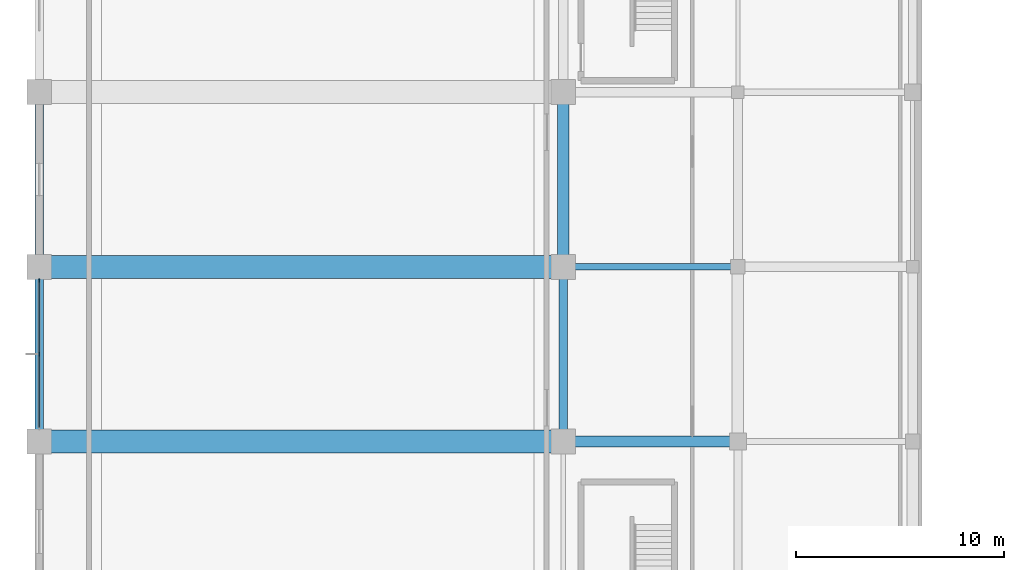
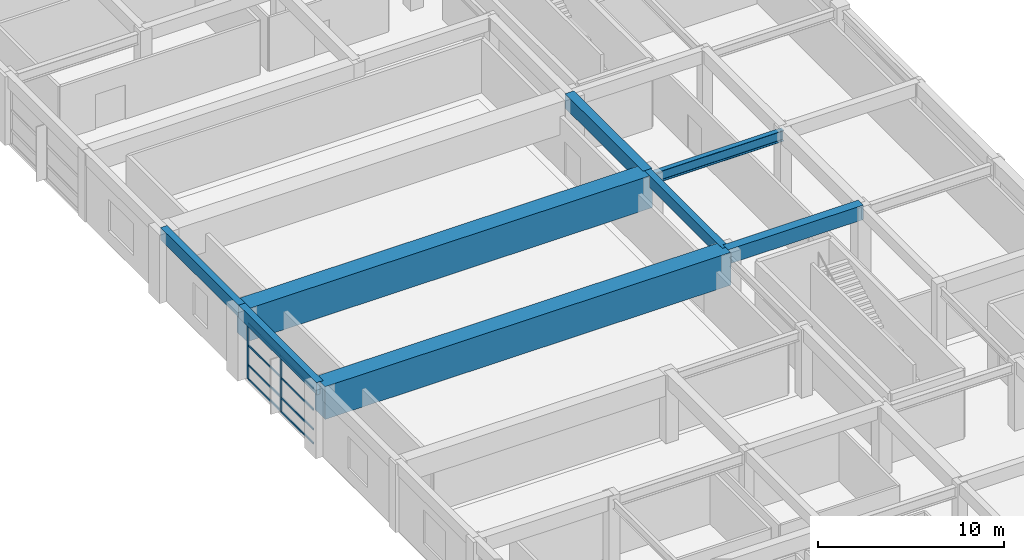
# One storey, part 14 of 65: 10 members, 8 beams, 1 element without a shape of its own.
"""IFC4 building model written with IfcOpenShell, lengths in metres."""

from ifc_helpers import new_model, si_unit, direction, frame, origin, origin_2d, place, context, subcontext, project, spatial, rectangle, i_section, extrude, material, material_profile, profile_set, type_object, element, aggregate, save


model = new_model("IFC4")

# Units and contexts
model_context = context("Model", 3, precision=1e-05, world=origin(), true_north=direction((0.0, 1.0)))
body_context = subcontext(model_context, "Body", "Model", "MODEL_VIEW")
ifc_project = project(units=[si_unit("LENGTHUNIT", "METRE"), si_unit("AREAUNIT", "SQUARE_METRE"), si_unit("VOLUMEUNIT", "CUBIC_METRE"), si_unit("PLANEANGLEUNIT", "RADIAN"), si_unit("MASSUNIT", "GRAM", prefix="KILO")], contexts=[model_context])

# Site, building, storey
site_placement = place(None, origin())
site = spatial("IfcSite", under=ifc_project, at=site_placement, CompositionType="ELEMENT")
building_placement = place(site_placement, origin())
building = spatial("IfcBuilding", under=site, at=building_placement, Name="Xuanlan Plaza Opera House", CompositionType="ELEMENT")
storey_placement = place(building_placement, frame((0.0, 0.0, 5.39990234375)))
storey = spatial("IfcBuildingStorey", under=building, at=storey_placement, Name="L01", CompositionType="ELEMENT", Elevation=5.39990234375)

# Curtain wall, members
ifc_material_1 = material(Name="Anodised Aluminium 6063-T6 and Low-E Glass", Category="aluminium")
curtain_wall_type = type_object("IfcCurtainWallType", Name="ENV-CW-CW-01", PredefinedType="USERDEFINED", material=ifc_material_1)
curtain_wall_placement = place(storey_placement, origin())
curtain_wall = element("IfcCurtainWall", 1, at=curtain_wall_placement, inside=storey, type_object=curtain_wall_type, Name="Unitised Curtain Wall L01-054", ObjectType="UNITISED CURTAIN WALL", PredefinedType="USERDEFINED")
ifc_material_2 = material(Name="Anodised Aluminium 6063-T6", Category="aluminium")
ifc_material_profile_1 = material_profile(ifc_material_2, rectangle(XDim=0.070068359375, YDim=0.179931640625, at=origin_2d()), Name="ALU-M 70x180")
ifc_profile_set_1 = profile_set([ifc_material_profile_1], Name="Anodised Aluminium 6063-T6")
member_type_1 = type_object("IfcMemberType", Name="ENV-CWM-02", PredefinedType="MULLION", material=ifc_profile_set_1)
member_1_placement = place(storey_placement, frame((0.0, 58.14501953125, 0.0), z_axis=(0.0, 0.0, 1.0), x_axis=(1.0, 0.0, 0.0)))
member_1 = element("IfcMember", 2, at=member_1_placement, type_object=member_type_1, Name="CW-01 mullion 1", PredefinedType="MULLION", context=body_context, shape_type="SweptSolid", body=[
    extrude(rectangle(XDim=0.070068359375, YDim=0.179931640625, at=origin_2d()), origin(), (0.0, 0.0, 1.0), 3.68017578125),
])
member_2_placement = place(storey_placement, frame((0.0, 54.60009765625, 0.0), z_axis=(0.0, 0.0, 1.0), x_axis=(1.0, 0.0, 0.0)))
member_2 = element("IfcMember", 3, at=member_2_placement, type_object=member_type_1, Name="CW-01 mullion 2", PredefinedType="MULLION", context=body_context, shape_type="SweptSolid", body=[
    extrude(rectangle(XDim=0.070068359375, YDim=0.179931640625, at=origin_2d()), origin(), (0.0, 0.0, 1.0), 3.68017578125),
])
ifc_material_profile_2 = material_profile(ifc_material_2, rectangle(XDim=0.06494140625, YDim=0.1201171875, at=origin_2d()), Name="ALU-T 65x120")
ifc_profile_set_2 = profile_set([ifc_material_profile_2], Name="Anodised Aluminium 6063-T6")
member_type_2 = type_object("IfcMemberType", Name="ENV-CWT-01", PredefinedType="USERDEFINED", material=ifc_profile_set_2)
member_3_placement = place(storey_placement, frame((0.0, 58.110107421875, 0.03271484375), z_axis=(0.0, -1.0, 0.0), x_axis=(1.0, 0.0, 0.0)))
member_3 = element("IfcMember", 4, at=member_3_placement, type_object=member_type_2, Name="CW-01 transom 1.1", ObjectType="TRANSOM", PredefinedType="USERDEFINED", context=body_context, shape_type="SweptSolid", body=[
    extrude(rectangle(XDim=0.06494140625, YDim=0.1201171875, at=origin_2d()), origin(), (0.0, 0.0, 1.0), 3.47509765625),
])
member_4_placement = place(storey_placement, frame((0.0, 58.110107421875, 0.9501953125), z_axis=(0.0, -1.0, 0.0), x_axis=(1.0, 0.0, 0.0)))
member_4 = element("IfcMember", 5, at=member_4_placement, type_object=member_type_2, Name="CW-01 transom 1.2", ObjectType="TRANSOM", PredefinedType="USERDEFINED", context=body_context, shape_type="SweptSolid", body=[
    extrude(rectangle(XDim=0.06494140625, YDim=0.1201171875, at=origin_2d()), origin(), (0.0, 0.0, 1.0), 3.47509765625),
])
member_5_placement = place(storey_placement, frame((0.0, 58.110107421875, 2.25), z_axis=(0.0, -1.0, 0.0), x_axis=(1.0, 0.0, 0.0)))
member_5 = element("IfcMember", 6, at=member_5_placement, type_object=member_type_2, Name="CW-01 transom 1.3", ObjectType="TRANSOM", PredefinedType="USERDEFINED", context=body_context, shape_type="SweptSolid", body=[
    extrude(rectangle(XDim=0.06494140625, YDim=0.1201171875, at=origin_2d()), origin(), (0.0, 0.0, 1.0), 3.47509765625),
])
member_6_placement = place(storey_placement, frame((0.0, 58.110107421875, 3.647705078125), z_axis=(0.0, -1.0, 0.0), x_axis=(1.0, 0.0, 0.0)))
member_6 = element("IfcMember", 7, at=member_6_placement, type_object=member_type_2, Name="CW-01 transom 1.4", ObjectType="TRANSOM", PredefinedType="USERDEFINED", context=body_context, shape_type="SweptSolid", body=[
    extrude(rectangle(XDim=0.06494140625, YDim=0.1201171875, at=origin_2d()), origin(), (0.0, 0.0, 1.0), 3.47509765625),
])
member_7_placement = place(storey_placement, frame((0.0, 54.56494140625, 0.03271484375), z_axis=(0.0, -1.0, 0.0), x_axis=(1.0, 0.0, 0.0)))
member_7 = element("IfcMember", 8, at=member_7_placement, type_object=member_type_2, Name="CW-01 transom 2.1", ObjectType="TRANSOM", PredefinedType="USERDEFINED", context=body_context, shape_type="SweptSolid", body=[
    extrude(rectangle(XDim=0.06494140625, YDim=0.1201171875, at=origin_2d()), origin(), (0.0, 0.0, 1.0), 3.474853515625),
])
member_8_placement = place(storey_placement, frame((0.0, 54.56494140625, 0.9501953125), z_axis=(0.0, -1.0, 0.0), x_axis=(1.0, 0.0, 0.0)))
member_8 = element("IfcMember", 9, at=member_8_placement, type_object=member_type_2, Name="CW-01 transom 2.2", ObjectType="TRANSOM", PredefinedType="USERDEFINED", context=body_context, shape_type="SweptSolid", body=[
    extrude(rectangle(XDim=0.06494140625, YDim=0.1201171875, at=origin_2d()), origin(), (0.0, 0.0, 1.0), 3.474853515625),
])
member_9_placement = place(storey_placement, frame((0.0, 54.56494140625, 2.25), z_axis=(0.0, -1.0, 0.0), x_axis=(1.0, 0.0, 0.0)))
member_9 = element("IfcMember", 10, at=member_9_placement, type_object=member_type_2, Name="CW-01 transom 2.3", ObjectType="TRANSOM", PredefinedType="USERDEFINED", context=body_context, shape_type="SweptSolid", body=[
    extrude(rectangle(XDim=0.06494140625, YDim=0.1201171875, at=origin_2d()), origin(), (0.0, 0.0, 1.0), 3.474853515625),
])
member_10_placement = place(storey_placement, frame((0.0, 54.56494140625, 3.647705078125), z_axis=(0.0, -1.0, 0.0), x_axis=(1.0, 0.0, 0.0)))
member_10 = element("IfcMember", 11, at=member_10_placement, type_object=member_type_2, Name="CW-01 transom 2.4", ObjectType="TRANSOM", PredefinedType="USERDEFINED", context=body_context, shape_type="SweptSolid", body=[
    extrude(rectangle(XDim=0.06494140625, YDim=0.1201171875, at=origin_2d()), origin(), (0.0, 0.0, 1.0), 3.474853515625),
])
aggregate(curtain_wall, [member_1, member_2, member_3, member_4, member_5, member_6, member_7, member_8, member_9, member_10])

# Beams
ifc_material_3 = material(Name="Concrete C50", Category="concrete")
ifc_material_profile_3 = material_profile(ifc_material_3, rectangle(XDim=0.550048828125, YDim=0.949951171875, at=origin_2d()), Name="RC-BM 550x950")
ifc_profile_set_3 = profile_set([ifc_material_profile_3], Name="Concrete C50")
beam_type_1 = type_object("IfcBeamType", Name="STR-BM-B-02", PredefinedType="BEAM", material=ifc_profile_set_3)
beam_1_placement = place(storey_placement, frame((25.199951171875, 50.39990234375, 4.025146484375), z_axis=(1.0, 0.0, 0.0), x_axis=(0.0, 1.0, 0.0)))
element("IfcBeam", 12, at=beam_1_placement, inside=storey, type_object=beam_type_1, Name="Grid Beam X L01 4-5/G", PredefinedType="BEAM", context=body_context, shape_type="SweptSolid", body=[
    extrude(rectangle(XDim=0.550048828125, YDim=0.949951171875, at=origin_2d()), origin(), (0.0, 0.0, 1.0), 8.400146484375),
])
beam_2_placement = place(storey_placement, frame((25.199951171875, 58.800048828125, 4.025146484375), z_axis=(0.0, 1.0, 0.0), x_axis=(-1.0, 0.0, 0.0)))
element("IfcBeam", 13, at=beam_2_placement, inside=storey, type_object=beam_type_1, Name="Grid Beam Y L01 4/H-I", PredefinedType="BEAM", context=body_context, shape_type="SweptSolid", body=[
    extrude(rectangle(XDim=0.550048828125, YDim=0.949951171875, at=origin_2d()), origin(), (0.0, 0.0, 1.0), 8.39990234375),
])
ifc_material_4 = material(Name="Concrete C40", Category="concrete")
ifc_material_profile_4 = material_profile(ifc_material_4, rectangle(XDim=0.39990234375, YDim=0.75, at=origin_2d()), Name="RC-BM 400x750")
ifc_profile_set_4 = profile_set([ifc_material_profile_4], Name="Concrete C40")
beam_type_2 = type_object("IfcBeamType", Name="STR-BM-B-06", PredefinedType="BEAM", material=ifc_profile_set_4)
beam_3_placement = place(storey_placement, frame((25.199951171875, 50.39990234375, 4.125), z_axis=(0.0, 1.0, 0.0), x_axis=(-1.0, 0.0, 0.0)))
element("IfcBeam", 14, at=beam_3_placement, inside=storey, type_object=beam_type_2, Name="Grid Beam Y L01 4/G-H", PredefinedType="BEAM", context=body_context, shape_type="SweptSolid", body=[
    extrude(rectangle(XDim=0.39990234375, YDim=0.75, at=origin_2d()), origin(), (0.0, 0.0, 1.0), 8.400146484375),
])
ifc_material_5 = material(Name="Concrete C60", Category="concrete")
ifc_material_profile_5 = material_profile(ifc_material_5, rectangle(XDim=1.10009765625, YDim=2.14990234375, at=origin_2d()), Name="RC-TG 1100x2150")
ifc_profile_set_5 = profile_set([ifc_material_profile_5], Name="Concrete C60")
beam_type_3 = type_object("IfcBeamType", Name="STR-BM-LG-03", PredefinedType="BEAM", material=ifc_profile_set_5)
for number, where, z_axis, x_axis, name in (
    (15, (0.0, 50.39990234375, 3.425048828125), (1.0, 0.0, 0.0), (0.0, 1.0, 0.0), "Grid Beam X L01 1-4/G"),
    (16, (0.0, 58.800048828125, 3.425048828125), (1.0, 0.0, 0.0), (0.0, 1.0, 0.0), "Grid Beam X L01 1-4/H"),
):
    element("IfcBeam", number, at=place(storey_placement, frame(where, z_axis=z_axis, x_axis=x_axis)), inside=storey, type_object=beam_type_3, Name=name, PredefinedType="BEAM", context=body_context, shape_type="SweptSolid", body=[
        extrude(rectangle(XDim=1.10009765625, YDim=2.14990234375, at=origin_2d()), origin(), (0.0, 0.0, 1.0), 25.199951171875),
    ])
ifc_material_6 = material(Name="Steel Q355B", Category="steel")
ifc_material_profile_6 = material_profile(ifc_material_6, i_section(OverallWidth=0.300048828125, OverallDepth=0.699951171875, WebThickness=0.012939453125, FlangeThickness=0.02392578125, FilletRadius=0.02392578125, at=origin_2d()), Name="HN 700x300x13x24")
ifc_profile_set_6 = profile_set([ifc_material_profile_6], Name="Steel Q355B")
beam_type_4 = type_object("IfcBeamType", Name="STR-BM-SB-03", PredefinedType="BEAM", material=ifc_profile_set_6)
beam_4_placement = place(storey_placement, frame((25.199951171875, 58.800048828125, 3.885009765625), z_axis=(1.0, 0.0, 0.0), x_axis=(0.0, 1.0, 0.0)))
element("IfcBeam", 17, at=beam_4_placement, inside=storey, type_object=beam_type_4, Name="Grid Beam X L01 4-5/H", PredefinedType="BEAM", context=body_context, shape_type="SweptSolid", body=[
    extrude(i_section(OverallWidth=0.300048828125, OverallDepth=0.699951171875, WebThickness=0.012939453125, FlangeThickness=0.02392578125, FilletRadius=0.02392578125, at=origin_2d()), origin(), (0.0, 0.0, 1.0), 8.400146484375),
])
ifc_material_profile_7 = material_profile(ifc_material_4, rectangle(XDim=0.39990234375, YDim=0.800048828125, at=origin_2d()), Name="RC-SPD 400x800")
ifc_profile_set_7 = profile_set([ifc_material_profile_7], Name="Concrete C40")
beam_type_5 = type_object("IfcBeamType", Name="STR-BM-SP-01", PredefinedType="SPANDREL", material=ifc_profile_set_7)
beam_5_placement = place(storey_placement, frame((0.0, 50.39990234375, 4.10009765625), z_axis=(0.0, 1.0, 0.0), x_axis=(-1.0, 0.0, 0.0)))
element("IfcBeam", 18, at=beam_5_placement, inside=storey, type_object=beam_type_5, Name="Grid Beam Y L01 1/G-H", PredefinedType="SPANDREL", context=body_context, shape_type="SweptSolid", body=[
    extrude(rectangle(XDim=0.39990234375, YDim=0.800048828125, at=origin_2d()), origin(), (0.0, 0.0, 1.0), 8.400146484375),
])
beam_6_placement = place(storey_placement, frame((0.0, 58.800048828125, 4.10009765625), z_axis=(0.0, 1.0, 0.0), x_axis=(-1.0, 0.0, 0.0)))
element("IfcBeam", 19, at=beam_6_placement, inside=storey, type_object=beam_type_5, Name="Grid Beam Y L01 1/H-I", PredefinedType="SPANDREL", context=body_context, shape_type="SweptSolid", body=[
    extrude(rectangle(XDim=0.39990234375, YDim=0.800048828125, at=origin_2d()), origin(), (0.0, 0.0, 1.0), 8.39990234375),
])

save(model, "model.ifc")
